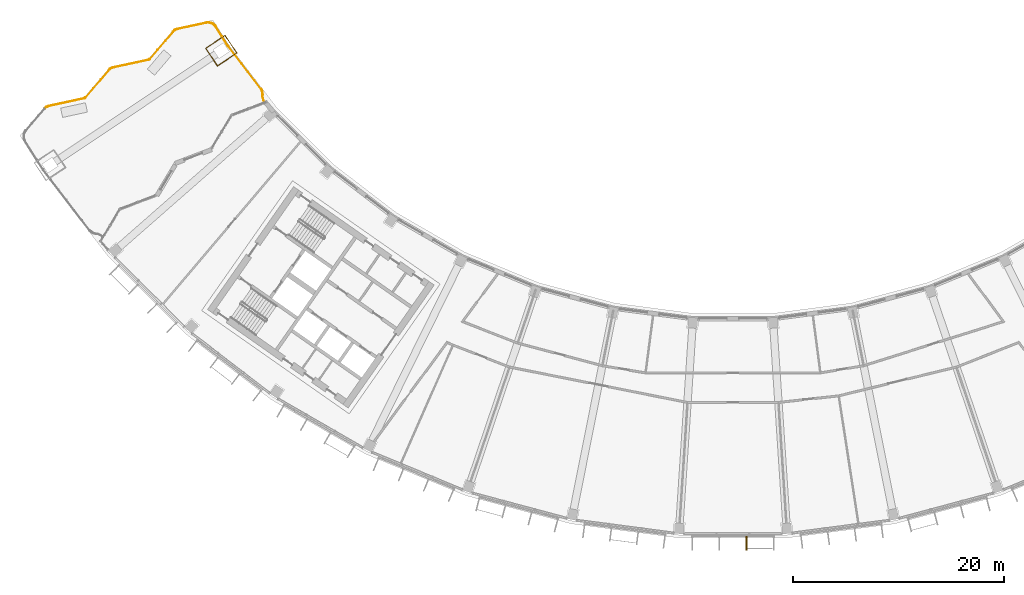
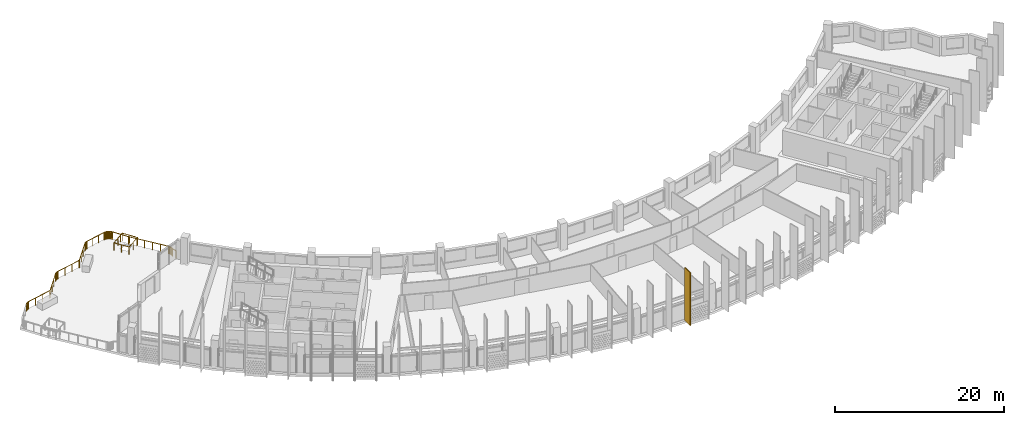
# One storey, part 25 of 29: 2 railings, 1 shading device.
"""IFC4 building model written with IfcOpenShell, lengths in metres."""

from ifc_helpers import new_model, si_unit, direction, frame, origin, origin_2d, place, context, subcontext, project, spatial, rectangle, circle, extrude, material, material_profile, profile_set, type_object, element, save


model = new_model("IFC4")

# Units and contexts
model_context = context("Model", 3, precision=1e-05, world=origin(), true_north=direction((0.0, 1.0)))
body_context = subcontext(model_context, "Body", "Model", "MODEL_VIEW")
ifc_project = project(units=[si_unit("LENGTHUNIT", "METRE"), si_unit("AREAUNIT", "SQUARE_METRE"), si_unit("VOLUMEUNIT", "CUBIC_METRE"), si_unit("PLANEANGLEUNIT", "RADIAN"), si_unit("MASSUNIT", "GRAM", prefix="KILO")], contexts=[model_context])

# Site, building, storey
site_placement = place(None, origin())
site = spatial("IfcSite", under=ifc_project, at=site_placement, CompositionType="ELEMENT")
building_placement = place(site_placement, origin())
building = spatial("IfcBuilding", under=site, at=building_placement, Name="Qamariyya Broadcast Tower", CompositionType="ELEMENT")
storey_placement = place(building_placement, frame((0.0, 0.0, 258.10009765625)))
storey = spatial("IfcBuildingStorey", under=building, at=storey_placement, Name="L62", CompositionType="ELEMENT", Elevation=258.10009765625)

# Railings
ifc_material_1 = material(Name="Stainless steel 316 with toughened glass infill", Category="steel")
railing_type = type_object("IfcRailingType", Name="Terrace guard, glass and stainless steel", PredefinedType="GUARDRAIL", material=ifc_material_1)
railing_1_placement = place(storey_placement, frame((-48.7919921875, -33.8046875, 0.0)))
element("IfcRailing", 1, at=railing_1_placement, inside=storey, type_object=railing_type, Name="e-r-L62-t4-pyl3", PredefinedType="GUARDRAIL", context=body_context, shape_type="SweptSolid", body=[
    extrude(circle(Radius=0.02392578125, at=origin_2d()), frame((0.0, 0.0, 1.076171875), z_axis=(-0.555516823968, 0.831505296609, 0.0), x_axis=(-0.831505296609, -0.555516823968, 0.0)), (0.0, 0.0, 1.0), 2.0),
    extrude(circle(Radius=0.02392578125, at=origin_2d()), frame((-1.111083984375, 1.6630859375, 1.076171875), z_axis=(0.831469322918, 0.555570666114, 0.0), x_axis=(-0.555570666114, 0.831469322918, 0.0)), (0.0, 0.0, 1.0), 2.199951171875),
    extrude(circle(Radius=0.02392578125, at=origin_2d()), frame((0.718017578125, 2.88525390625, 1.076171875), z_axis=(0.55557321199, -0.831467621811, 0.0), x_axis=(0.831467621811, 0.55557321199, 0.0)), (0.0, 0.0, 1.0), 2.0),
    extrude(circle(Radius=0.02392578125, at=origin_2d()), frame((1.8291015625, 1.222412109375, 1.076171875), z_axis=(-0.831418056, -0.555647384729, 0.0), x_axis=(0.555647384729, -0.831418056, 0.0)), (0.0, 0.0, 1.0), 2.199951171875),
    extrude(circle(Radius=0.02099609375, at=origin_2d()), origin(), (0.0, 0.0, 1.0), 1.052001953125),
    extrude(circle(Radius=0.02099609375, at=origin_2d()), frame((-0.5556640625, 0.83154296875, 0.0)), (0.0, 0.0, 1.0), 1.052001953125),
    extrude(circle(Radius=0.02099609375, at=origin_2d()), frame((-1.111083984375, 1.6630859375, 0.0)), (0.0, 0.0, 1.0), 1.052001953125),
    extrude(circle(Radius=0.02099609375, at=origin_2d()), frame((-0.196533203125, 2.274169921875, 0.0)), (0.0, 0.0, 1.0), 1.052001953125),
    extrude(circle(Radius=0.02099609375, at=origin_2d()), frame((0.718017578125, 2.88525390625, 0.0)), (0.0, 0.0, 1.0), 1.052001953125),
    extrude(circle(Radius=0.02099609375, at=origin_2d()), frame((1.2734375, 2.0537109375, 0.0)), (0.0, 0.0, 1.0), 1.052001953125),
    extrude(circle(Radius=0.02099609375, at=origin_2d()), frame((1.8291015625, 1.222412109375, 0.0)), (0.0, 0.0, 1.0), 1.052001953125),
    extrude(circle(Radius=0.02099609375, at=origin_2d()), frame((0.91455078125, 0.611328125, 0.0)), (0.0, 0.0, 1.0), 1.052001953125),
])
railing_2_placement = place(storey_placement, frame((-65.174072265625, -37.87744140625, 0.0)))
element("IfcRailing", 2, at=railing_2_placement, inside=storey, type_object=railing_type, Name="e-r-L62-t4-0", PredefinedType="GUARDRAIL", context=body_context, shape_type="SweptSolid", body=[
    extrude(circle(Radius=0.02392578125, at=origin_2d()), frame((0.0, 0.0, 1.076171875), z_axis=(0.685185075256, 0.728369008571, 0.0), x_axis=(-0.728369008571, 0.685185075256, 0.0)), (0.0, 0.0, 1.0), 0.084716796875),
    extrude(circle(Radius=0.02392578125, at=origin_2d()), frame((0.05810546875, 0.061767578125, 1.076171875), z_axis=(0.747573620288, 0.664178953483, 0.0), x_axis=(-0.664178953483, 0.747573620288, 0.0)), (0.0, 0.0, 1.0), 0.08203125),
    extrude(circle(Radius=0.02392578125, at=origin_2d()), frame((0.119384765625, 0.1162109375, 1.076171875), z_axis=(0.806404995856, 0.591363663628, 0.0), x_axis=(-0.591363663628, 0.806404995856, 0.0)), (0.0, 0.0, 1.0), 0.081787109375),
    extrude(circle(Radius=0.02392578125, at=origin_2d()), frame((0.185302734375, 0.16455078125, 1.076171875), z_axis=(0.859323998762, 0.511431584038, 0.0), x_axis=(-0.511431584038, 0.859323998762, 0.0)), (0.0, 0.0, 1.0), 0.08203125),
    extrude(circle(Radius=0.02392578125, at=origin_2d()), frame((0.255859375, 0.20654296875, 1.076171875), z_axis=(0.902639410851, 0.430397599876, 0.0), x_axis=(-0.430397599876, 0.902639410851, 0.0)), (0.0, 0.0, 1.0), 0.081787109375),
    extrude(circle(Radius=0.02392578125, at=origin_2d()), frame((0.32958984375, 0.24169921875, 1.076171875), z_axis=(0.938393968123, 0.345567302547, 0.0), x_axis=(-0.345567302547, 0.938393968123, 0.0)), (0.0, 0.0, 1.0), 0.08203125),
    extrude(circle(Radius=0.02392578125, at=origin_2d()), frame((0.406494140625, 0.27001953125, 1.076171875), z_axis=(0.966663351112, 0.256050709074, 0.0), x_axis=(-0.256050709074, 0.966663351112, 0.0)), (0.0, 0.0, 1.0), 0.0849609375),
    extrude(circle(Radius=0.02392578125, at=origin_2d()), frame((0.488525390625, 0.291748046875, 1.076171875), z_axis=(0.977477490014, 0.21103970365, 0.0), x_axis=(-0.21103970365, 0.977477490014, 0.0)), (0.0, 0.0, 1.0), 3.376953125),
    extrude(circle(Radius=0.02392578125, at=origin_2d()), frame((3.789306640625, 1.00439453125, 1.076171875), z_axis=(0.965694067125, 0.259682438219, 0.0), x_axis=(-0.259682438219, 0.965694067125, 0.0)), (0.0, 0.0, 1.0), 0.06005859375),
    extrude(circle(Radius=0.02392578125, at=origin_2d()), frame((3.847412109375, 1.02001953125, 1.076171875), z_axis=(0.686504243469, 0.727125796337, 0.0), x_axis=(-0.727125796337, 0.686504243469, 0.0)), (0.0, 0.0, 1.0), 0.06005859375),
    extrude(circle(Radius=0.02392578125, at=origin_2d()), frame((3.888671875, 1.063720703125, 1.076171875), z_axis=(0.649001681048, 0.76078697281, 0.0), x_axis=(-0.76078697281, 0.649001681048, 0.0)), (0.0, 0.0, 1.0), 3.396240234375),
    extrude(circle(Radius=0.02392578125, at=origin_2d()), frame((6.0927734375, 3.6474609375, 1.076171875), z_axis=(0.683653214078, 0.72980701756, 0.0), x_axis=(-0.72980701756, 0.683653214078, 0.0)), (0.0, 0.0, 1.0), 0.084716796875),
    extrude(circle(Radius=0.02392578125, at=origin_2d()), frame((6.150634765625, 3.709228515625, 1.076171875), z_axis=(0.749053521026, 0.662509488716, 0.0), x_axis=(-0.662509488716, 0.749053521026, 0.0)), (0.0, 0.0, 1.0), 0.081787109375),
    extrude(circle(Radius=0.02392578125, at=origin_2d()), frame((6.2119140625, 3.763427734375, 1.076171875), z_axis=(0.80744570953, 0.589941883716, 0.0), x_axis=(-0.589941883716, 0.80744570953, 0.0)), (0.0, 0.0, 1.0), 0.08203125),
    extrude(circle(Radius=0.02392578125, at=origin_2d()), frame((6.278076171875, 3.811767578125, 1.076171875), z_axis=(0.858543269067, 0.512741119026, 0.0), x_axis=(-0.512741119026, 0.858543269067, 0.0)), (0.0, 0.0, 1.0), 0.081787109375),
    extrude(circle(Radius=0.02392578125, at=origin_2d()), frame((6.348388671875, 3.853759765625, 1.076171875), z_axis=(0.902033436763, 0.431666166108, 0.0), x_axis=(-0.431666166108, 0.902033436763, 0.0)), (0.0, 0.0, 1.0), 0.08203125),
    extrude(circle(Radius=0.02392578125, at=origin_2d()), frame((6.42236328125, 3.88916015625, 1.076171875), z_axis=(0.938393968123, 0.345567302547, 0.0), x_axis=(-0.345567302547, 0.938393968123, 0.0)), (0.0, 0.0, 1.0), 0.08203125),
    extrude(circle(Radius=0.02392578125, at=origin_2d()), frame((6.499267578125, 3.91748046875, 1.076171875), z_axis=(0.966473941301, 0.256764718734, 0.0), x_axis=(-0.256764718734, 0.966473941301, 0.0)), (0.0, 0.0, 1.0), 0.084716796875),
    extrude(circle(Radius=0.02392578125, at=origin_2d()), frame((6.5810546875, 3.939208984375, 1.076171875), z_axis=(0.977497658855, 0.210946265509, 0.0), x_axis=(-0.210946265509, 0.977497658855, 0.0)), (0.0, 0.0, 1.0), 3.3759765625),
    extrude(circle(Radius=0.02392578125, at=origin_2d()), frame((9.881103515625, 4.6513671875, 1.076171875), z_axis=(0.966705227862, 0.255892560316, 0.0), x_axis=(-0.255892560316, 0.966705227862, 0.0)), (0.0, 0.0, 1.0), 0.06005859375),
    extrude(circle(Radius=0.02392578125, at=origin_2d()), frame((9.939208984375, 4.666748046875, 1.076171875), z_axis=(0.684479843116, 0.729031785567, 0.0), x_axis=(-0.729031785567, 0.684479843116, 0.0)), (0.0, 0.0, 1.0), 0.060302734375),
    extrude(circle(Radius=0.02392578125, at=origin_2d()), frame((9.98046875, 4.710693359375, 1.076171875), z_axis=(0.649097091723, 0.760705570847, 0.0), x_axis=(-0.760705570847, 0.649097091723, 0.0)), (0.0, 0.0, 1.0), 3.397216796875),
    extrude(circle(Radius=0.02392578125, at=origin_2d()), frame((12.185546875, 7.294921875, 1.076171875), z_axis=(0.683653214078, 0.72980701756, 0.0), x_axis=(-0.72980701756, 0.683653214078, 0.0)), (0.0, 0.0, 1.0), 0.084716796875),
    extrude(circle(Radius=0.02392578125, at=origin_2d()), frame((12.243408203125, 7.356689453125, 1.076171875), z_axis=(0.750358994835, 0.661030543069, 0.0), x_axis=(-0.661030543069, 0.750358994835, 0.0)), (0.0, 0.0, 1.0), 0.08203125),
    extrude(circle(Radius=0.02392578125, at=origin_2d()), frame((12.304931640625, 7.410888671875, 1.076171875), z_axis=(0.804980894215, 0.593300733144, 0.0), x_axis=(-0.593300733144, 0.804980894215, 0.0)), (0.0, 0.0, 1.0), 0.081787109375),
    extrude(circle(Radius=0.02392578125, at=origin_2d()), frame((12.370849609375, 7.45947265625, 1.076171875), z_axis=(0.858543269067, 0.512741119026, 0.0), x_axis=(-0.512741119026, 0.858543269067, 0.0)), (0.0, 0.0, 1.0), 0.081787109375),
    extrude(circle(Radius=0.02392578125, at=origin_2d()), frame((12.441162109375, 7.50146484375, 1.076171875), z_axis=(0.903190842802, 0.429239212421, 0.0), x_axis=(-0.429239212421, 0.903190842802, 0.0)), (0.0, 0.0, 1.0), 0.081787109375),
    extrude(circle(Radius=0.02392578125, at=origin_2d()), frame((12.51513671875, 7.53662109375, 1.076171875), z_axis=(0.938393968123, 0.345567302547, 0.0), x_axis=(-0.345567302547, 0.938393968123, 0.0)), (0.0, 0.0, 1.0), 0.08203125),
    extrude(circle(Radius=0.02392578125, at=origin_2d()), frame((12.592041015625, 7.56494140625, 1.076171875), z_axis=(0.966663351112, 0.256050709074, 0.0), x_axis=(-0.256050709074, 0.966663351112, 0.0)), (0.0, 0.0, 1.0), 0.0849609375),
    extrude(circle(Radius=0.02392578125, at=origin_2d()), frame((12.674072265625, 7.586669921875, 1.076171875), z_axis=(0.97750968924, 0.210890510556, 0.0), x_axis=(-0.210890510556, 0.97750968924, 0.0)), (0.0, 0.0, 1.0), 2.69384765625),
    extrude(circle(Radius=0.02392578125, at=origin_2d()), frame((15.307373046875, 8.15478515625, 1.076171875), z_axis=(0.986958561632, 0.160974524758, 0.0), x_axis=(-0.160974524758, 0.986958561632, 0.0)), (0.0, 0.0, 1.0), 0.092529296875),
    extrude(circle(Radius=0.02392578125, at=origin_2d()), frame((15.398681640625, 8.169677734375, 1.076171875), z_axis=(0.998188458554, 0.060164783803, 0.0), x_axis=(-0.060164783803, 0.998188458554, 0.0)), (0.0, 0.0, 1.0), 0.08935546875),
    extrude(circle(Radius=0.02392578125, at=origin_2d()), frame((15.48779296875, 8.175048828125, 1.076171875), z_axis=(0.999045829762, -0.043674134634, 0.0), x_axis=(0.043674134634, 0.999045829762, 0.0)), (0.0, 0.0, 1.0), 0.08935546875),
    extrude(circle(Radius=0.02392578125, at=origin_2d()), frame((15.5771484375, 8.171142578125, 1.076171875), z_axis=(0.989839823031, -0.142186935905, 0.0), x_axis=(0.142186935905, 0.989839823031, 0.0)), (0.0, 0.0, 1.0), 0.08935546875),
    extrude(circle(Radius=0.02392578125, at=origin_2d()), frame((15.66552734375, 8.158447265625, 1.076171875), z_axis=(0.970623077371, -0.240605157207, 0.0), x_axis=(0.240605157207, 0.970623077371, 0.0)), (0.0, 0.0, 1.0), 0.08935546875),
    extrude(circle(Radius=0.02392578125, at=origin_2d()), frame((15.752197265625, 8.136962890625, 1.076171875), z_axis=(0.939873169839, -0.341523680901, 0.0), x_axis=(0.341523680901, 0.939873169839, 0.0)), (0.0, 0.0, 1.0), 0.08935546875),
    extrude(circle(Radius=0.02392578125, at=origin_2d()), frame((15.836181640625, 8.1064453125, 1.076171875), z_axis=(0.901949123487, -0.431842307609, 0.0), x_axis=(0.431842307609, 0.901949123487, 0.0)), (0.0, 0.0, 1.0), 0.08935546875),
    extrude(circle(Radius=0.02392578125, at=origin_2d()), frame((15.916748046875, 8.06787109375, 1.076171875), z_axis=(0.852876146286, -0.522113281861, 0.0), x_axis=(0.522113281861, 0.852876146286, 0.0)), (0.0, 0.0, 1.0), 0.08935546875),
    extrude(circle(Radius=0.02392578125, at=origin_2d()), frame((15.992919921875, 8.021240234375, 1.076171875), z_axis=(0.795055259275, -0.606537001921, 0.0), x_axis=(0.606537001921, 0.795055259275, 0.0)), (0.0, 0.0, 1.0), 0.08935546875),
    extrude(circle(Radius=0.02392578125, at=origin_2d()), frame((16.06396484375, 7.967041015625, 1.076171875), z_axis=(0.729963353256, -0.68348628582, 0.0), x_axis=(0.68348628582, 0.729963353256, 0.0)), (0.0, 0.0, 1.0), 0.08935546875),
    extrude(circle(Radius=0.02392578125, at=origin_2d()), frame((16.129150390625, 7.906005859375, 1.076171875), z_axis=(0.657731396648, -0.753252553838, 0.0), x_axis=(0.753252553838, 0.657731396648, 0.0)), (0.0, 0.0, 1.0), 0.08935546875),
    extrude(circle(Radius=0.02392578125, at=origin_2d()), frame((16.18798828125, 7.838623046875, 1.076171875), z_axis=(0.576475536874, -0.817114407771, 0.0), x_axis=(0.817114407771, 0.576475536874, 0.0)), (0.0, 0.0, 1.0), 0.09228515625),
    extrude(circle(Radius=0.02392578125, at=origin_2d()), frame((16.2412109375, 7.76318359375, 1.076171875), z_axis=(0.534732156795, -0.845021609481, 0.0), x_axis=(0.845021609481, 0.534732156795, 0.0)), (0.0, 0.0, 1.0), 2.12451171875),
    extrude(circle(Radius=0.02392578125, at=origin_2d()), frame((17.377197265625, 5.968017578125, 1.076171875), z_axis=(0.575733066799, -0.817637716715, 0.0), x_axis=(0.817637716715, 0.575733066799, 0.0)), (0.0, 0.0, 1.0), 0.050537109375),
    extrude(circle(Radius=0.02392578125, at=origin_2d()), frame((17.40625, 5.9267578125, 1.076171875), z_axis=(0.608758745152, -0.79335539968, 0.0), x_axis=(0.79335539968, 0.608758745152, 0.0)), (0.0, 0.0, 1.0), 5.058837890625),
    extrude(circle(Radius=0.02392578125, at=origin_2d()), frame((20.48583984375, 1.913330078125, 1.076171875), z_axis=(0.568499142296, -0.822683854958, 0.0), x_axis=(0.822683854958, 0.568499142296, 0.0)), (0.0, 0.0, 1.0), 0.08935546875),
    extrude(circle(Radius=0.02392578125, at=origin_2d()), frame((20.53662109375, 1.83984375, 1.076171875), z_axis=(0.485401898868, -0.874291139481, 0.0), x_axis=(0.874291139481, 0.485401898868, 0.0)), (0.0, 0.0, 1.0), 0.0859375),
    extrude(circle(Radius=0.02392578125, at=origin_2d()), frame((20.578369140625, 1.7646484375, 1.076171875), z_axis=(0.399036538806, -0.916935025341, 0.0), x_axis=(0.916935025341, 0.399036538806, 0.0)), (0.0, 0.0, 1.0), 0.086181640625),
    extrude(circle(Radius=0.02392578125, at=origin_2d()), frame((20.61279296875, 1.685546875, 1.076171875), z_axis=(0.306009180413, -0.952028561285, 0.0), x_axis=(0.952028561285, 0.306009180413, 0.0)), (0.0, 0.0, 1.0), 0.086181640625),
    extrude(circle(Radius=0.02392578125, at=origin_2d()), frame((20.63916015625, 1.603515625, 1.076171875), z_axis=(0.212429644331, -0.977176363923, 0.0), x_axis=(0.977176363923, 0.212429644331, 0.0)), (0.0, 0.0, 1.0), 0.086181640625),
    extrude(circle(Radius=0.02392578125, at=origin_2d()), frame((20.657470703125, 1.519287109375, 1.076171875), z_axis=(0.11602028662, -0.993246843988, 0.0), x_axis=(0.993246843988, 0.11602028662, 0.0)), (0.0, 0.0, 1.0), 0.086181640625),
    extrude(circle(Radius=0.02392578125, at=origin_2d()), frame((20.66748046875, 1.43359375, 1.076171875), z_axis=(0.016994712399, -0.999855579447, 0.0), x_axis=(0.999855579447, 0.016994712399, 0.0)), (0.0, 0.0, 1.0), 0.086181640625),
    extrude(circle(Radius=0.02392578125, at=origin_2d()), frame((20.6689453125, 1.347412109375, 1.076171875), z_axis=(-0.082108179717, -0.996623422775, 0.0), x_axis=(0.996623422775, -0.082108179717, 0.0)), (0.0, 0.0, 1.0), 0.086181640625),
    extrude(circle(Radius=0.02392578125, at=origin_2d()), frame((20.661865234375, 1.261474609375, 1.076171875), z_axis=(-0.175888825079, -0.984410037135, 0.0), x_axis=(0.984410037135, -0.175888825079, 0.0)), (0.0, 0.0, 1.0), 0.0859375),
    extrude(circle(Radius=0.02392578125, at=origin_2d()), frame((20.646728515625, 1.1767578125, 1.076171875), z_axis=(0.272389131076, -0.962187175799, 0.0), x_axis=(0.962187175799, 0.272389131076, 0.0)), (0.0, 0.0, 1.0), 0.51171875),
    extrude(circle(Radius=0.02099609375, at=origin_2d()), origin(), (0.0, 0.0, 1.0), 1.052001953125),
    extrude(circle(Radius=0.02099609375, at=origin_2d()), frame((0.05810546875, 0.061767578125, 0.0)), (0.0, 0.0, 1.0), 1.052001953125),
    extrude(circle(Radius=0.02099609375, at=origin_2d()), frame((0.119384765625, 0.1162109375, 0.0)), (0.0, 0.0, 1.0), 1.052001953125),
    extrude(circle(Radius=0.02099609375, at=origin_2d()), frame((0.185302734375, 0.16455078125, 0.0)), (0.0, 0.0, 1.0), 1.052001953125),
    extrude(circle(Radius=0.02099609375, at=origin_2d()), frame((0.255859375, 0.20654296875, 0.0)), (0.0, 0.0, 1.0), 1.052001953125),
    extrude(circle(Radius=0.02099609375, at=origin_2d()), frame((0.32958984375, 0.24169921875, 0.0)), (0.0, 0.0, 1.0), 1.052001953125),
    extrude(circle(Radius=0.02099609375, at=origin_2d()), frame((0.406494140625, 0.27001953125, 0.0)), (0.0, 0.0, 1.0), 1.052001953125),
    extrude(circle(Radius=0.02099609375, at=origin_2d()), frame((0.488525390625, 0.291748046875, 0.0)), (0.0, 0.0, 1.0), 1.052001953125),
    extrude(circle(Radius=0.02099609375, at=origin_2d()), frame((1.5888671875, 0.529296875, 0.0)), (0.0, 0.0, 1.0), 1.052001953125),
    extrude(circle(Radius=0.02099609375, at=origin_2d()), frame((2.68896484375, 0.766845703125, 0.0)), (0.0, 0.0, 1.0), 1.052001953125),
    extrude(circle(Radius=0.02099609375, at=origin_2d()), frame((3.789306640625, 1.00439453125, 0.0)), (0.0, 0.0, 1.0), 1.052001953125),
    extrude(circle(Radius=0.02099609375, at=origin_2d()), frame((3.847412109375, 1.02001953125, 0.0)), (0.0, 0.0, 1.0), 1.052001953125),
    extrude(circle(Radius=0.02099609375, at=origin_2d()), frame((3.888671875, 1.063720703125, 0.0)), (0.0, 0.0, 1.0), 1.052001953125),
    extrude(circle(Radius=0.02099609375, at=origin_2d()), frame((4.623291015625, 1.925048828125, 0.0)), (0.0, 0.0, 1.0), 1.052001953125),
    extrude(circle(Radius=0.02099609375, at=origin_2d()), frame((5.358154296875, 2.7861328125, 0.0)), (0.0, 0.0, 1.0), 1.052001953125),
    extrude(circle(Radius=0.02099609375, at=origin_2d()), frame((6.0927734375, 3.6474609375, 0.0)), (0.0, 0.0, 1.0), 1.052001953125),
    extrude(circle(Radius=0.02099609375, at=origin_2d()), frame((6.150634765625, 3.709228515625, 0.0)), (0.0, 0.0, 1.0), 1.052001953125),
    extrude(circle(Radius=0.02099609375, at=origin_2d()), frame((6.2119140625, 3.763427734375, 0.0)), (0.0, 0.0, 1.0), 1.052001953125),
    extrude(circle(Radius=0.02099609375, at=origin_2d()), frame((6.278076171875, 3.811767578125, 0.0)), (0.0, 0.0, 1.0), 1.052001953125),
    extrude(circle(Radius=0.02099609375, at=origin_2d()), frame((6.348388671875, 3.853759765625, 0.0)), (0.0, 0.0, 1.0), 1.052001953125),
    extrude(circle(Radius=0.02099609375, at=origin_2d()), frame((6.42236328125, 3.88916015625, 0.0)), (0.0, 0.0, 1.0), 1.052001953125),
    extrude(circle(Radius=0.02099609375, at=origin_2d()), frame((6.499267578125, 3.91748046875, 0.0)), (0.0, 0.0, 1.0), 1.052001953125),
    extrude(circle(Radius=0.02099609375, at=origin_2d()), frame((6.5810546875, 3.939208984375, 0.0)), (0.0, 0.0, 1.0), 1.052001953125),
    extrude(circle(Radius=0.02099609375, at=origin_2d()), frame((7.68115234375, 4.176513671875, 0.0)), (0.0, 0.0, 1.0), 1.052001953125),
    extrude(circle(Radius=0.02099609375, at=origin_2d()), frame((8.781005859375, 4.4140625, 0.0)), (0.0, 0.0, 1.0), 1.052001953125),
    extrude(circle(Radius=0.02099609375, at=origin_2d()), frame((9.881103515625, 4.6513671875, 0.0)), (0.0, 0.0, 1.0), 1.052001953125),
    extrude(circle(Radius=0.02099609375, at=origin_2d()), frame((9.939208984375, 4.666748046875, 0.0)), (0.0, 0.0, 1.0), 1.052001953125),
    extrude(circle(Radius=0.02099609375, at=origin_2d()), frame((9.98046875, 4.710693359375, 0.0)), (0.0, 0.0, 1.0), 1.052001953125),
    extrude(circle(Radius=0.02099609375, at=origin_2d()), frame((10.715576171875, 5.572021484375, 0.0)), (0.0, 0.0, 1.0), 1.052001953125),
    extrude(circle(Radius=0.02099609375, at=origin_2d()), frame((11.450439453125, 6.43359375, 0.0)), (0.0, 0.0, 1.0), 1.052001953125),
    extrude(circle(Radius=0.02099609375, at=origin_2d()), frame((12.185546875, 7.294921875, 0.0)), (0.0, 0.0, 1.0), 1.052001953125),
    extrude(circle(Radius=0.02099609375, at=origin_2d()), frame((12.243408203125, 7.356689453125, 0.0)), (0.0, 0.0, 1.0), 1.052001953125),
    extrude(circle(Radius=0.02099609375, at=origin_2d()), frame((12.304931640625, 7.410888671875, 0.0)), (0.0, 0.0, 1.0), 1.052001953125),
    extrude(circle(Radius=0.02099609375, at=origin_2d()), frame((12.370849609375, 7.45947265625, 0.0)), (0.0, 0.0, 1.0), 1.052001953125),
    extrude(circle(Radius=0.02099609375, at=origin_2d()), frame((12.441162109375, 7.50146484375, 0.0)), (0.0, 0.0, 1.0), 1.052001953125),
    extrude(circle(Radius=0.02099609375, at=origin_2d()), frame((12.51513671875, 7.53662109375, 0.0)), (0.0, 0.0, 1.0), 1.052001953125),
    extrude(circle(Radius=0.02099609375, at=origin_2d()), frame((12.592041015625, 7.56494140625, 0.0)), (0.0, 0.0, 1.0), 1.052001953125),
    extrude(circle(Radius=0.02099609375, at=origin_2d()), frame((12.674072265625, 7.586669921875, 0.0)), (0.0, 0.0, 1.0), 1.052001953125),
    extrude(circle(Radius=0.02099609375, at=origin_2d()), frame((13.5517578125, 7.776123046875, 0.0)), (0.0, 0.0, 1.0), 1.052001953125),
    extrude(circle(Radius=0.02099609375, at=origin_2d()), frame((14.4296875, 7.96533203125, 0.0)), (0.0, 0.0, 1.0), 1.052001953125),
    extrude(circle(Radius=0.02099609375, at=origin_2d()), frame((15.307373046875, 8.15478515625, 0.0)), (0.0, 0.0, 1.0), 1.052001953125),
    extrude(circle(Radius=0.02099609375, at=origin_2d()), frame((15.398681640625, 8.169677734375, 0.0)), (0.0, 0.0, 1.0), 1.052001953125),
    extrude(circle(Radius=0.02099609375, at=origin_2d()), frame((15.48779296875, 8.175048828125, 0.0)), (0.0, 0.0, 1.0), 1.052001953125),
    extrude(circle(Radius=0.02099609375, at=origin_2d()), frame((15.5771484375, 8.171142578125, 0.0)), (0.0, 0.0, 1.0), 1.052001953125),
    extrude(circle(Radius=0.02099609375, at=origin_2d()), frame((15.66552734375, 8.158447265625, 0.0)), (0.0, 0.0, 1.0), 1.052001953125),
    extrude(circle(Radius=0.02099609375, at=origin_2d()), frame((15.752197265625, 8.136962890625, 0.0)), (0.0, 0.0, 1.0), 1.052001953125),
    extrude(circle(Radius=0.02099609375, at=origin_2d()), frame((15.836181640625, 8.1064453125, 0.0)), (0.0, 0.0, 1.0), 1.052001953125),
    extrude(circle(Radius=0.02099609375, at=origin_2d()), frame((15.916748046875, 8.06787109375, 0.0)), (0.0, 0.0, 1.0), 1.052001953125),
    extrude(circle(Radius=0.02099609375, at=origin_2d()), frame((15.992919921875, 8.021240234375, 0.0)), (0.0, 0.0, 1.0), 1.052001953125),
    extrude(circle(Radius=0.02099609375, at=origin_2d()), frame((16.06396484375, 7.967041015625, 0.0)), (0.0, 0.0, 1.0), 1.052001953125),
    extrude(circle(Radius=0.02099609375, at=origin_2d()), frame((16.129150390625, 7.906005859375, 0.0)), (0.0, 0.0, 1.0), 1.052001953125),
    extrude(circle(Radius=0.02099609375, at=origin_2d()), frame((16.18798828125, 7.838623046875, 0.0)), (0.0, 0.0, 1.0), 1.052001953125),
    extrude(circle(Radius=0.02099609375, at=origin_2d()), frame((16.2412109375, 7.76318359375, 0.0)), (0.0, 0.0, 1.0), 1.052001953125),
    extrude(circle(Radius=0.02099609375, at=origin_2d()), frame((16.80908203125, 6.86572265625, 0.0)), (0.0, 0.0, 1.0), 1.052001953125),
    extrude(circle(Radius=0.02099609375, at=origin_2d()), frame((17.377197265625, 5.968017578125, 0.0)), (0.0, 0.0, 1.0), 1.052001953125),
    extrude(circle(Radius=0.02099609375, at=origin_2d()), frame((17.40625, 5.9267578125, 0.0)), (0.0, 0.0, 1.0), 1.052001953125),
    extrude(circle(Radius=0.02099609375, at=origin_2d()), frame((18.022216796875, 5.1240234375, 0.0)), (0.0, 0.0, 1.0), 1.052001953125),
    extrude(circle(Radius=0.02099609375, at=origin_2d()), frame((18.63818359375, 4.3212890625, 0.0)), (0.0, 0.0, 1.0), 1.052001953125),
    extrude(circle(Radius=0.02099609375, at=origin_2d()), frame((19.25390625, 3.518798828125, 0.0)), (0.0, 0.0, 1.0), 1.052001953125),
    extrude(circle(Radius=0.02099609375, at=origin_2d()), frame((19.869873046875, 2.716064453125, 0.0)), (0.0, 0.0, 1.0), 1.052001953125),
    extrude(circle(Radius=0.02099609375, at=origin_2d()), frame((20.48583984375, 1.913330078125, 0.0)), (0.0, 0.0, 1.0), 1.052001953125),
    extrude(circle(Radius=0.02099609375, at=origin_2d()), frame((20.53662109375, 1.83984375, 0.0)), (0.0, 0.0, 1.0), 1.052001953125),
    extrude(circle(Radius=0.02099609375, at=origin_2d()), frame((20.578369140625, 1.7646484375, 0.0)), (0.0, 0.0, 1.0), 1.052001953125),
    extrude(circle(Radius=0.02099609375, at=origin_2d()), frame((20.61279296875, 1.685546875, 0.0)), (0.0, 0.0, 1.0), 1.052001953125),
    extrude(circle(Radius=0.02099609375, at=origin_2d()), frame((20.63916015625, 1.603515625, 0.0)), (0.0, 0.0, 1.0), 1.052001953125),
    extrude(circle(Radius=0.02099609375, at=origin_2d()), frame((20.657470703125, 1.519287109375, 0.0)), (0.0, 0.0, 1.0), 1.052001953125),
    extrude(circle(Radius=0.02099609375, at=origin_2d()), frame((20.66748046875, 1.43359375, 0.0)), (0.0, 0.0, 1.0), 1.052001953125),
    extrude(circle(Radius=0.02099609375, at=origin_2d()), frame((20.6689453125, 1.347412109375, 0.0)), (0.0, 0.0, 1.0), 1.052001953125),
    extrude(circle(Radius=0.02099609375, at=origin_2d()), frame((20.661865234375, 1.261474609375, 0.0)), (0.0, 0.0, 1.0), 1.052001953125),
    extrude(circle(Radius=0.02099609375, at=origin_2d()), frame((20.646728515625, 1.1767578125, 0.0)), (0.0, 0.0, 1.0), 1.052001953125),
    extrude(circle(Radius=0.02099609375, at=origin_2d()), frame((20.7861328125, 0.684326171875, 0.0)), (0.0, 0.0, 1.0), 1.052001953125),
])

# Shading device
ifc_material_2 = material(Name="Glazed terracotta", Category="masonry")
ifc_material_profile = material_profile(ifc_material_2, rectangle(XDim=1.300048828125, YDim=0.10009765625, at=origin_2d()))
ifc_profile_set = profile_set([ifc_material_profile], Name="Glazed terracotta")
shading_device_type = type_object("IfcShadingDeviceType", Name="Terracotta fin 100 x 1300", PredefinedType="USERDEFINED", material=ifc_profile_set)
shading_device_placement = place(storey_placement, frame((1.281005859375, -78.982177734375, 0.0), z_axis=(0.0, 0.0, 1.0), x_axis=(0.0, -1.0, 0.0)))
element("IfcShadingDevice", 3, at=shading_device_placement, inside=storey, type_object=shading_device_type, Name="e-fin-L62-07-2", ObjectType="FIN", PredefinedType="USERDEFINED", context=body_context, shape_type="SweptSolid", body=[
    extrude(rectangle(XDim=1.300048828125, YDim=0.10009765625, at=origin_2d()), origin(), (0.0, 0.0, 1.0), 7.599853515625),
])

save(model, "model.ifc")
